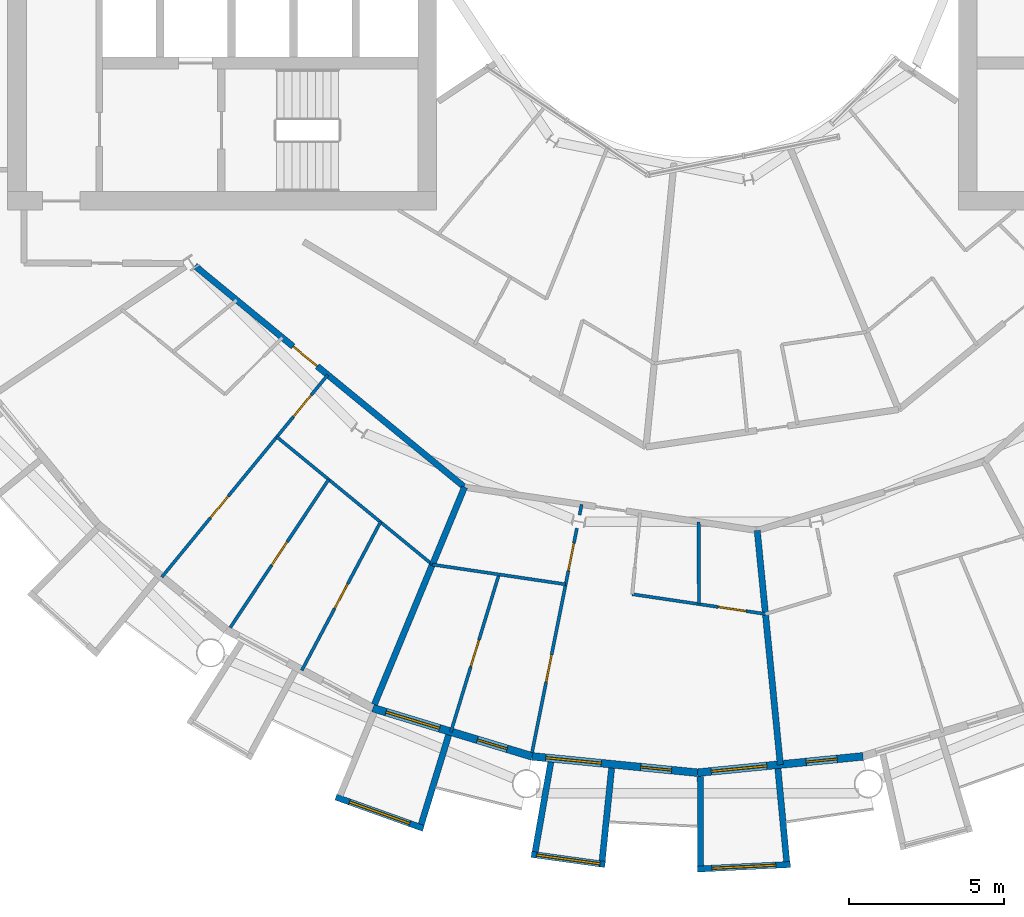
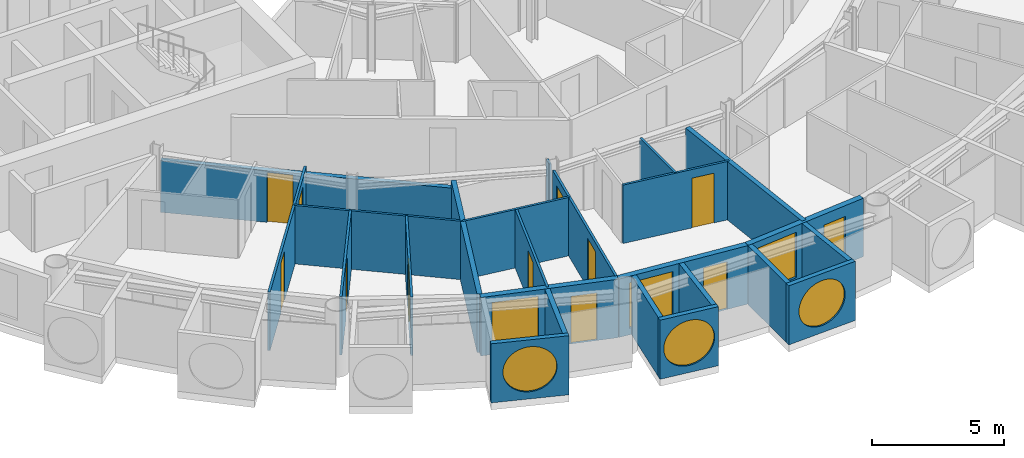
# One storey, part 14 of 28: 25 walls, 12 doors, 6 windows, 18 openings.
"""IFC4 building model written with IfcOpenShell, lengths in metres."""

import ifcopenshell
import ifcopenshell.guid

model = None  # the IFC model being written
_history = None  # IfcOwnerHistory: only IFC2X3 demands one
_inside = {}  # id of a spatial element -> (the spatial element, [elements in it])
_under = {}  # id of a project, library or spatial element -> (it, [spatial elements below it])
_declared = {}  # id of a project -> (the project, [libraries it declares])
_typed = {}  # id of a type object -> (the type object, [elements of that type])
_made_of = {}  # id of a material, layer set ... -> (it, [elements and type objects made of it])


def new_model(schema):
    """Start an empty IFC model of exactly this schema.

    Asked for "IFC4X3", IfcOpenShell would pick the latest addendum, in which some entities
    have other attributes; the version numbers below select the first issue.
    IFC2X3 requires an IfcOwnerHistory on every rooted entity: one is made here for all.
    """
    global model, _history
    if schema == "IFC4X3":
        model = ifcopenshell.file(schema_version=(4, 3, 0, 0))
    else:
        model = ifcopenshell.file(schema=schema)
    _inside.clear()
    _under.clear()
    _declared.clear()
    _typed.clear()
    _made_of.clear()
    _history = None
    if model.schema == "IFC2X3":
        org = make("IfcOrganization", Name="unknown")
        user = make(
            "IfcPersonAndOrganization",
            ThePerson=make("IfcPerson", FamilyName="unknown"),
            TheOrganization=org,
        )
        app = make(
            "IfcApplication",
            ApplicationDeveloper=org,
            Version="unknown",
            ApplicationFullName="unknown",
            ApplicationIdentifier="unknown",
        )
        _history = make(
            "IfcOwnerHistory",
            OwningUser=user,
            OwningApplication=app,
            ChangeAction="ADDED",
            CreationDate=0,
        )
    return model


def make(cls, **values):
    """One entity of the class cls with the attributes given. An attribute that is None is left unset."""
    return model.create_entity(
        cls, **{name: value for name, value in values.items() if value is not None}
    )


def rooted(cls, **values):
    """An entity with a GlobalId (a new one), such as an element, a storey or a relation."""
    return make(cls, GlobalId=ifcopenshell.guid.new(), OwnerHistory=_history, **values)


def si_unit(unit_type, name, prefix=None):
    """IfcSIUnit, for example si_unit("LENGTHUNIT", "METRE", prefix="MILLI")."""
    return make("IfcSIUnit", UnitType=unit_type, Prefix=prefix, Name=name)


def assignment(units):
    """IfcUnitAssignment: the units of a project."""
    return None if units is None else make("IfcUnitAssignment", Units=units)


def point(xyz):
    """IfcCartesianPoint."""
    return None if xyz is None else make("IfcCartesianPoint", Coordinates=xyz)


def direction(xyz):
    """IfcDirection."""
    return None if xyz is None else make("IfcDirection", DirectionRatios=xyz)


def frame(location, z_axis=None, x_axis=None):
    """IfcAxis2Placement3D, a coordinate frame: its origin and axes. An axis left out is left unset."""
    return make(
        "IfcAxis2Placement3D",
        Location=point(location),
        Axis=direction(z_axis),
        RefDirection=direction(x_axis),
    )


def frame_2d(location, x_axis=None):
    """IfcAxis2Placement2D, a coordinate frame in the plane: its origin and x axis."""
    return make(
        "IfcAxis2Placement2D", Location=point(location), RefDirection=direction(x_axis)
    )


def origin():
    """The frame at (0, 0, 0) with its axes left unset."""
    return frame((0.0, 0.0, 0.0))


def place(relative_to, where):
    """IfcLocalPlacement: puts the frame where relative to a parent placement (None: the world)."""
    return make(
        "IfcLocalPlacement", PlacementRelTo=relative_to, RelativePlacement=where
    )


def context(
    kind, dimensions, precision=None, world=None, true_north=None, identifier=None
):
    """IfcGeometricRepresentationContext, for example the 3D "Model" context."""
    return make(
        "IfcGeometricRepresentationContext",
        ContextIdentifier=identifier,
        ContextType=kind,
        CoordinateSpaceDimension=dimensions,
        Precision=precision,
        WorldCoordinateSystem=world,
        TrueNorth=true_north,
    )


def subcontext(parent, identifier, kind, view, scale=None):
    """IfcGeometricRepresentationSubContext, for example "Body" below "Model"."""
    return make(
        "IfcGeometricRepresentationSubContext",
        ContextIdentifier=identifier,
        ContextType=kind,
        ParentContext=parent,
        TargetScale=scale,
        TargetView=view,
    )


def project(units=None, contexts=None):
    """IfcProject with its units and contexts."""
    return rooted(
        "IfcProject",
        Name="project",
        RepresentationContexts=contexts,
        UnitsInContext=assignment(units),
    )


def spatial(cls, under=None, at=None, **own):
    """A site, building, storey or space (cls), placed at a placement, below another one or the project."""
    s = rooted(cls, ObjectPlacement=at, **own)
    if under is not None:
        _under.setdefault(under.id(), (under, []))[1].append(s)
    return s


def profile(cls, at=None, kind="AREA", **sizes):
    """A parametric profile (cls). Its sizes go by their IFC names, for example OverallWidth=200.0."""
    return make(cls, ProfileType=kind, Position=at, **sizes)


def rectangle(**sizes):
    """IfcRectangleProfileDef."""
    return profile("IfcRectangleProfileDef", **sizes)


def circle(**sizes):
    """IfcCircleProfileDef."""
    return profile("IfcCircleProfileDef", **sizes)


def extrude(swept, where, along, depth):
    """IfcExtrudedAreaSolid: the profile swept, set in the frame where, extruded along a direction by depth."""
    return make(
        "IfcExtrudedAreaSolid",
        SweptArea=swept,
        Position=where,
        ExtrudedDirection=direction(along),
        Depth=depth,
    )


def shape(context_of_items, identifier, shape_type, items):
    """IfcShapeRepresentation: the items that make up one representation, for example the "Body"."""
    return make(
        "IfcShapeRepresentation",
        ContextOfItems=context_of_items,
        RepresentationIdentifier=identifier,
        RepresentationType=shape_type,
        Items=items,
    )


def material(Name=None, Category=None):
    """IfcMaterial."""
    return make("IfcMaterial", Name=Name, Category=Category)


def layer(
    of_material, thickness, ventilated=None, Name=None, Category=None, Priority=None
):
    """IfcMaterialLayer: one layer of a wall or slab, of a material (None: an air gap)."""
    return make(
        "IfcMaterialLayer",
        Material=of_material,
        LayerThickness=thickness,
        IsVentilated=ventilated,
        Name=Name,
        Category=Category,
        Priority=Priority,
    )


def layer_set(layers, Name=None):
    """IfcMaterialLayerSet."""
    return make("IfcMaterialLayerSet", MaterialLayers=layers, LayerSetName=Name)


def made_of(thing, what):
    """Note that an element or type object is made of a material, layer set ...; save() writes the relation."""
    if what is not None:
        _made_of.setdefault(what.id(), (what, []))[1].append(thing)
    return thing


def type_object(cls, material=None, **own):
    """A type object (cls), such as IfcWallType, which elements share."""
    return made_of(rooted(cls, **own), material)


def element(
    cls,
    number,
    at=None,
    inside=None,
    cuts=None,
    type_object=None,
    material=None,
    context=None,
    identifier="Body",
    shape_type=None,
    held_by="IfcProductDefinitionShape",
    body=None,
    shapes=None,
    **own,
):
    """One element of the class cls, such as IfcWall. Its Tag is "e" and its number.

    at: its placement. inside: the storey or other place that contains it. cuts: it is an
    opening in that element (IfcRelVoidsElement). A single representation is given by context,
    identifier, shape_type and body (its items); several are given by shapes. held_by: the class
    of the entity that holds the representations. save() writes the other relations.
    """
    e = rooted(cls, Tag="e%d" % number, ObjectPlacement=at, **own)
    if body is not None:
        shapes = [shape(context, identifier, shape_type, body)]
    if shapes is not None:
        e.Representation = make(held_by, Representations=shapes)
    if inside is not None:
        _inside.setdefault(inside.id(), (inside, []))[1].append(e)
    if cuts is not None:
        rooted(
            "IfcRelVoidsElement", RelatingBuildingElement=cuts, RelatedOpeningElement=e
        )
    if type_object is not None:
        _typed.setdefault(type_object.id(), (type_object, []))[1].append(e)
    return made_of(e, material)


def fill(opening, filler):
    """IfcRelFillsElement: the door or window that sits in an opening."""
    return rooted(
        "IfcRelFillsElement",
        RelatingOpeningElement=opening,
        RelatedBuildingElement=filler,
    )


def aggregate(whole, parts):
    """IfcRelAggregates: a whole, such as a stair, and the parts it consists of."""
    return rooted("IfcRelAggregates", RelatingObject=whole, RelatedObjects=parts)


def save(model, path):
    """Write the relations noted so far, then the file.

    IfcRelAggregates (storeys below a building ...), IfcRelContainedInSpatialStructure (elements
    in a storey), IfcRelDefinesByType, IfcRelAssociatesMaterial and IfcRelDeclares: one each for
    every whole, place, type object, material and project.
    """
    for whole, parts in _under.values():
        aggregate(whole, parts)
    for where, things in _inside.values():
        rooted(
            "IfcRelContainedInSpatialStructure",
            RelatedElements=things,
            RelatingStructure=where,
        )
    for kind, things in _typed.values():
        rooted("IfcRelDefinesByType", RelatedObjects=things, RelatingType=kind)
    for what, things in _made_of.values():
        rooted("IfcRelAssociatesMaterial", RelatedObjects=things, RelatingMaterial=what)
    for by, libraries in _declared.values():
        rooted("IfcRelDeclares", RelatingContext=by, RelatedDefinitions=libraries)
    model.write(path)


model = new_model("IFC4")

# Units and contexts
model_context = context("Model", 3, precision=1e-05, world=origin(), true_north=direction((0.0, 1.0)))
body_context = subcontext(model_context, "Body", "Model", "MODEL_VIEW")
ifc_project = project(units=[si_unit("LENGTHUNIT", "METRE"), si_unit("AREAUNIT", "SQUARE_METRE"), si_unit("VOLUMEUNIT", "CUBIC_METRE"), si_unit("PLANEANGLEUNIT", "RADIAN"), si_unit("MASSUNIT", "GRAM", prefix="KILO")], contexts=[model_context])

# Site, building, storey
site_placement = place(None, origin())
site = spatial("IfcSite", under=ifc_project, at=site_placement, CompositionType="ELEMENT")
building_placement = place(site_placement, origin())
building = spatial("IfcBuilding", under=site, at=building_placement, Name="Maasbend Ring Residences", CompositionType="ELEMENT")
storey_placement = place(building_placement, frame((0.0, 0.0, 129.949951171875)))
storey = spatial("IfcBuildingStorey", under=building, at=storey_placement, Name="L37", CompositionType="ELEMENT", Elevation=129.949951171875)

# Wall, opening, door
ifc_material_1 = material(Name="Concrete C30/37", Category="concrete")
ifc_layer_1 = layer(ifc_material_1, 0.199951171875)
ifc_layer_set_1 = layer_set([ifc_layer_1], Name="Concrete C30/37")
wall_type_1 = type_object("IfcWallType", Name="CORRIDOR WALL 200 CONCRETE", PredefinedType="PARTITIONING", material=ifc_layer_set_1)
wall_1_placement = place(storey_placement, frame((-16.173095703125, -10.990966796875, 0.0), z_axis=(0.0, 0.0, 1.0), x_axis=(0.773013989296, -0.634388975591, 0.0)))
wall_1 = element("IfcWall", 1, at=wall_1_placement, inside=storey, type_object=wall_type_1, Name="U-L37-w015", PredefinedType="PARTITIONING", context=body_context, shape_type="SweptSolid", body=[
    extrude(rectangle(XDim=11.218505859375, YDim=0.199951171875, at=frame_2d((5.609375, 0.0))), origin(), (0.0, 0.0, 1.0), 2.39013671875),
])
opening_1_placement = place(wall_1_placement, frame((4.089111328125, 0.0, 0.0)))
opening_1 = element("IfcOpeningElement", 2, at=opening_1_placement, cuts=wall_1, Name="Opening D-3736", PredefinedType="OPENING", context=body_context, shape_type="SweptSolid", body=[
    extrude(rectangle(XDim=1.0, YDim=2.300048828125, at=frame_2d((0.5, 1.14990234375))), frame((0.0, 0.10986328125, 0.0), z_axis=(0.0, -1.0, 0.0), x_axis=(1.0, 0.0, 0.0)), (0.0, 0.0, 1.0), 0.219970703125),
])
ifc_material_2 = material(Name="Timber, fire-rated, painted", Category="wood")
door_type_1 = type_object("IfcDoorType", Name="FLAT ENTRANCE DOOR 1000 X 2300 FIRE-RATED", OperationType="NOTDEFINED", PredefinedType="DOOR", material=ifc_material_2)
door_1_placement = place(opening_1_placement, origin())
door_1 = element("IfcDoor", 3, at=door_1_placement, inside=storey, type_object=door_type_1, Name="D-3736", OperationType="SINGLE_SWING_LEFT", OverallHeight=2.300048828125, OverallWidth=1.0, PredefinedType="DOOR", context=body_context, shape_type="SweptSolid", body=[
    extrude(rectangle(XDim=1.0, YDim=2.300048828125, at=frame_2d((0.5, 1.14990234375))), frame((0.0, 0.02490234375, 0.0), z_axis=(0.0, -1.0, 0.0), x_axis=(1.0, 0.0, 0.0)), (0.0, 0.0, 1.0), 0.050048828125),
])
fill(opening_1, door_1)

# Wall, opening, window
ifc_material_3 = material(Name="Pale anodised aluminium panel", Category="aluminium")
ifc_layer_2 = layer(ifc_material_3, 0.199951171875)
ifc_layer_set_2 = layer_set([ifc_layer_2], Name="EW-BOX")
wall_type_2 = type_object("IfcWallType", Name="EW-BOX", PredefinedType="SOLIDWALL", material=ifc_layer_set_2)
wall_2_placement = place(storey_placement, frame((-11.637939453125, -28.083984375, -0.030029296875), z_axis=(0.0, 0.0, 1.0), x_axis=(0.941461077774, -0.337121697664, 0.0)))
wall_2 = element("IfcWall", 4, at=wall_2_placement, inside=storey, type_object=wall_type_2, Name="Box front S07", PredefinedType="SOLIDWALL", context=body_context, shape_type="SweptSolid", body=[
    extrude(rectangle(XDim=2.9931640625, YDim=0.199951171875, at=frame_2d((1.49658203125, 0.0))), origin(), (0.0, 0.0, 1.0), 2.72998046875),
])
opening_2_placement = place(wall_2_placement, frame((0.45654296875, 0.0, 0.330078125)))
opening_2 = element("IfcOpeningElement", 5, at=opening_2_placement, cuts=wall_2, Name="Opening W-RD", PredefinedType="OPENING", context=body_context, shape_type="SweptSolid", body=[
    extrude(circle(Radius=1.0400390625, at=frame_2d((1.0400390625, 1.0400390625))), frame((0.0, 0.10986328125, 0.0), z_axis=(0.0, -1.0, 0.0), x_axis=(1.0, 0.0, 0.0)), (0.0, 0.0, 1.0), 0.219970703125),
])
ifc_material_4 = material(Name="Aluminium and clear glass", Category="aluminium")
window_type_1 = type_object("IfcWindowType", Name="W-RD", PartitioningType="SINGLE_PANEL", PredefinedType="WINDOW", material=ifc_material_4)
window_1_placement = place(opening_2_placement, origin())
window_1 = element("IfcWindow", 6, at=window_1_placement, inside=storey, type_object=window_type_1, Name="Round window S07", OverallHeight=2.080078125, OverallWidth=2.080078125, PartitioningType="SINGLE_PANEL", PredefinedType="WINDOW", context=body_context, shape_type="SweptSolid", body=[
    extrude(circle(Radius=1.0400390625, at=frame_2d((1.0400390625, 1.0400390625))), frame((0.0, 0.030029296875, 0.0), z_axis=(0.0, -1.0, 0.0), x_axis=(1.0, 0.0, 0.0)), (0.0, 0.0, 1.0), 0.06005859375),
])
fill(opening_2, window_1)

# Wall
wall_3_placement = place(storey_placement, frame((-8.009033203125, -26.092041015625, -0.030029296875), z_axis=(0.0, 0.0, 1.0), x_axis=(-0.293406695073, -0.955987715029, 0.0)))
element("IfcWall", 7, at=wall_3_placement, inside=storey, type_object=wall_type_2, Name="Box side wall S07 right", PredefinedType="SOLIDWALL", context=body_context, shape_type="SweptSolid", body=[
    extrude(rectangle(XDim=3.00634765625, YDim=0.199951171875, at=frame_2d((1.503173828125, 0.0))), origin(), (0.0, 0.0, 1.0), 2.72998046875),
])

# Wall, opening, window
wall_4_placement = place(storey_placement, frame((-5.344970703125, -29.927001953125, -0.030029296875), z_axis=(0.0, 0.0, 1.0), x_axis=(0.99061207328, -0.136703036805, 0.0)))
wall_4 = element("IfcWall", 8, at=wall_4_placement, inside=storey, type_object=wall_type_2, Name="Box front S09", PredefinedType="SOLIDWALL", context=body_context, shape_type="SweptSolid", body=[
    extrude(rectangle(XDim=2.391357421875, YDim=0.199951171875, at=frame_2d((1.19580078125, 0.0))), origin(), (0.0, 0.0, 1.0), 2.72998046875),
])
opening_3_placement = place(wall_4_placement, frame((0.15576171875, 0.0, 0.330078125)))
opening_3 = element("IfcOpeningElement", 9, at=opening_3_placement, cuts=wall_4, Name="Opening W-RD", PredefinedType="OPENING", context=body_context, shape_type="SweptSolid", body=[
    extrude(circle(Radius=1.0400390625, at=frame_2d((1.0400390625, 1.0400390625))), frame((0.0, 0.10986328125, 0.0), z_axis=(0.0, -1.0, 0.0), x_axis=(1.0, 0.0, 0.0)), (0.0, 0.0, 1.0), 0.219970703125),
])
window_2_placement = place(opening_3_placement, origin())
window_2 = element("IfcWindow", 10, at=window_2_placement, inside=storey, type_object=window_type_1, Name="Round window S09", OverallHeight=2.080078125, OverallWidth=2.080078125, PartitioningType="SINGLE_PANEL", PredefinedType="WINDOW", context=body_context, shape_type="SweptSolid", body=[
    extrude(circle(Radius=1.0400390625, at=frame_2d((1.0400390625, 1.0400390625))), frame((0.0, 0.030029296875, 0.0), z_axis=(0.0, -1.0, 0.0), x_axis=(1.0, 0.0, 0.0)), (0.0, 0.0, 1.0), 0.06005859375),
])
fill(opening_3, window_2)

# Walls
wall_5_placement = place(storey_placement, frame((-4.719970703125, -26.9609375, -0.030029296875), z_axis=(0.0, 0.0, 1.0), x_axis=(-0.172463232037, -0.98501595601, 0.0)))
element("IfcWall", 11, at=wall_5_placement, inside=storey, type_object=wall_type_2, Name="Box side wall S09 left", PredefinedType="SOLIDWALL", context=body_context, shape_type="SweptSolid", body=[
    extrude(rectangle(XDim=2.928955078125, YDim=0.199951171875, at=frame_2d((1.46435546875, 0.0))), origin(), (0.0, 0.0, 1.0), 2.72998046875),
])
wall_6_placement = place(storey_placement, frame((-2.763916015625, -27.153076171875, -0.030029296875), z_axis=(0.0, 0.0, 1.0), x_axis=(-0.101505487237, -0.994834979311, 0.0)))
element("IfcWall", 12, at=wall_6_placement, inside=storey, type_object=wall_type_2, Name="Box side wall S09 right", PredefinedType="SOLIDWALL", context=body_context, shape_type="SweptSolid", body=[
    extrude(rectangle(XDim=3.006591796875, YDim=0.199951171875, at=frame_2d((1.50341796875, 0.0))), origin(), (0.0, 0.0, 1.0), 2.72998046875),
])

# Wall, opening, window
wall_7_placement = place(storey_placement, frame((-0.0048828125, -30.39990234375, -0.030029296875), z_axis=(0.0, 0.0, 1.0), x_axis=(0.998794083011, 0.049095618353, 0.0)))
wall_7 = element("IfcWall", 13, at=wall_7_placement, inside=storey, type_object=wall_type_2, Name="Box front S11", PredefinedType="SOLIDWALL", context=body_context, shape_type="SweptSolid", body=[
    extrude(rectangle(XDim=2.99365234375, YDim=0.199951171875, at=frame_2d((1.496826171875, 0.0))), origin(), (0.0, 0.0, 1.0), 2.72998046875),
])
opening_4_placement = place(wall_7_placement, frame((0.45654296875, 0.0, 0.330078125)))
opening_4 = element("IfcOpeningElement", 14, at=opening_4_placement, cuts=wall_7, Name="Opening W-RD", PredefinedType="OPENING", context=body_context, shape_type="SweptSolid", body=[
    extrude(circle(Radius=1.0400390625, at=frame_2d((1.0400390625, 1.0400390625))), frame((0.0, 0.10986328125, 0.0), z_axis=(0.0, -1.0, 0.0), x_axis=(1.0, 0.0, 0.0)), (0.0, 0.0, 1.0), 0.219970703125),
])
window_3_placement = place(opening_4_placement, origin())
window_3 = element("IfcWindow", 15, at=window_3_placement, inside=storey, type_object=window_type_1, Name="Round window S11", OverallHeight=2.080078125, OverallWidth=2.080078125, PartitioningType="SINGLE_PANEL", PredefinedType="WINDOW", context=body_context, shape_type="SweptSolid", body=[
    extrude(circle(Radius=1.0400390625, at=frame_2d((1.0400390625, 1.0400390625))), frame((0.0, 0.030029296875, 0.0), z_axis=(0.0, -1.0, 0.0), x_axis=(1.0, 0.0, 0.0)), (0.0, 0.0, 1.0), 0.06005859375),
])
fill(opening_4, window_3)

# Walls
wall_8_placement = place(storey_placement, frame((0.090087890625, -27.4169921875, -0.030029296875), z_axis=(0.0, 0.0, 1.0), x_axis=(0.00347308367, -0.999993968827, 0.0)))
element("IfcWall", 16, at=wall_8_placement, inside=storey, type_object=wall_type_2, Name="Box side wall S11 left", PredefinedType="SOLIDWALL", context=body_context, shape_type="SweptSolid", body=[
    extrude(rectangle(XDim=2.882080078125, YDim=0.199951171875, at=frame_2d((1.44091796875, 0.0))), origin(), (0.0, 0.0, 1.0), 2.72998046875),
])
wall_9_placement = place(storey_placement, frame((2.5859375, -27.1708984375, -0.030029296875), z_axis=(0.0, 0.0, 1.0), x_axis=(0.094548432284, -0.995520262954, 0.0)))
element("IfcWall", 17, at=wall_9_placement, inside=storey, type_object=wall_type_2, Name="Box side wall S11 right", PredefinedType="SOLIDWALL", context=body_context, shape_type="SweptSolid", body=[
    extrude(rectangle(XDim=3.005615234375, YDim=0.199951171875, at=frame_2d((1.5029296875, 0.0))), origin(), (0.0, 0.0, 1.0), 2.72998046875),
])

# Wall, openings, door, window
ifc_material_5 = material(Name="Aluminium clad insulated panel", Category="aluminium")
ifc_layer_3 = layer(ifc_material_5, 0.25)
ifc_layer_set_3 = layer_set([ifc_layer_3], Name="EW-GL")
wall_type_3 = type_object("IfcWallType", Name="EW-GL", PredefinedType="SOLIDWALL", material=ifc_layer_set_3)
wall_10_placement = place(storey_placement, frame((-10.447021484375, -25.221923828125, 0.0), z_axis=(0.0, 0.0, 1.0), x_axis=(0.956965678721, -0.290201119486, 0.0)))
wall_10 = element("IfcWall", 18, at=wall_10_placement, inside=storey, type_object=wall_type_3, Name="External wall S04", PredefinedType="SOLIDWALL", context=body_context, shape_type="SweptSolid", body=[
    extrude(rectangle(XDim=5.351318359375, YDim=0.25, at=frame_2d((2.67578125, 0.0))), origin(), (0.0, 0.0, 1.0), 2.699951171875),
])
opening_5_placement = place(wall_10_placement, frame((0.441162109375, 0.0, 0.300048828125)))
opening_5 = element("IfcOpeningElement", 19, at=opening_5_placement, cuts=wall_10, Name="Opening W-BX", PredefinedType="OPENING", context=body_context, shape_type="SweptSolid", body=[
    extrude(rectangle(XDim=1.800048828125, YDim=2.10009765625, at=frame_2d((0.89990234375, 1.050048828125))), frame((0.0, 0.135009765625, 0.0), z_axis=(0.0, -1.0, 0.0), x_axis=(1.0, 0.0, 0.0)), (0.0, 0.0, 1.0), 0.27001953125),
])
opening_6_placement = place(wall_10_placement, frame((3.510498046875, 0.0, 0.0)))
opening_6 = element("IfcOpeningElement", 20, at=opening_6_placement, cuts=wall_10, Name="Opening D-LG", PredefinedType="OPENING", context=body_context, shape_type="SweptSolid", body=[
    extrude(rectangle(XDim=1.0, YDim=2.199951171875, at=frame_2d((0.5, 1.10009765625))), frame((0.0, 0.135009765625, 0.0), z_axis=(0.0, -1.0, 0.0), x_axis=(1.0, 0.0, 0.0)), (0.0, 0.0, 1.0), 0.27001953125),
])
ifc_material_6 = material(Name="Aluminium and clear glass", Category="aluminium")
door_type_2 = type_object("IfcDoorType", Name="D-LG", OperationType="SINGLE_SWING_LEFT", PredefinedType="DOOR", material=ifc_material_6)
door_2_placement = place(opening_6_placement, origin())
door_2 = element("IfcDoor", 21, at=door_2_placement, inside=storey, type_object=door_type_2, Name="Loggia door S08", OperationType="SINGLE_SWING_LEFT", OverallHeight=2.199951171875, OverallWidth=1.0, PredefinedType="DOOR", context=body_context, shape_type="SweptSolid", body=[
    extrude(rectangle(XDim=1.0, YDim=2.199951171875, at=frame_2d((0.5, 1.10009765625))), frame((0.0, 0.02490234375, 0.0), z_axis=(0.0, -1.0, 0.0), x_axis=(1.0, 0.0, 0.0)), (0.0, 0.0, 1.0), 0.050048828125),
])
fill(opening_6, door_2)
ifc_material_7 = material(Name="Aluminium and clear glass", Category="aluminium")
window_type_2 = type_object("IfcWindowType", Name="W-BX", PartitioningType="DOUBLE_PANEL_VERTICAL", PredefinedType="WINDOW", material=ifc_material_7)
window_4_placement = place(opening_5_placement, origin())
window_4 = element("IfcWindow", 22, at=window_4_placement, inside=storey, type_object=window_type_2, Name="Window S07 room to box", OverallHeight=2.10009765625, OverallWidth=1.800048828125, PartitioningType="SINGLE_PANEL", PredefinedType="WINDOW", context=body_context, shape_type="SweptSolid", body=[
    extrude(rectangle(XDim=1.800048828125, YDim=2.10009765625, at=frame_2d((0.89990234375, 1.050048828125))), frame((0.0, 0.030029296875, 0.0), z_axis=(0.0, -1.0, 0.0), x_axis=(1.0, 0.0, 0.0)), (0.0, 0.0, 1.0), 0.06005859375),
])
fill(opening_5, window_4)

wall_11_placement = place(storey_placement, frame((-5.325927734375, -26.77490234375, 0.0), z_axis=(0.0, 0.0, 1.0), x_axis=(0.995173996315, -0.098126026407, 0.0)))
wall_11 = element("IfcWall", 23, at=wall_11_placement, inside=storey, type_object=wall_type_3, Name="External wall S05", PredefinedType="SOLIDWALL", context=body_context, shape_type="SweptSolid", body=[
    extrude(rectangle(XDim=5.351806640625, YDim=0.25, at=frame_2d((2.67578125, 0.0))), origin(), (0.0, 0.0, 1.0), 2.699951171875),
])
opening_7_placement = place(wall_11_placement, frame((0.441162109375, 0.0, 0.300048828125)))
opening_7 = element("IfcOpeningElement", 24, at=opening_7_placement, cuts=wall_11, Name="Opening W-BX", PredefinedType="OPENING", context=body_context, shape_type="SweptSolid", body=[
    extrude(rectangle(XDim=1.800048828125, YDim=2.10009765625, at=frame_2d((0.89990234375, 1.050048828125))), frame((0.0, 0.135009765625, 0.0), z_axis=(0.0, -1.0, 0.0), x_axis=(1.0, 0.0, 0.0)), (0.0, 0.0, 1.0), 0.27001953125),
])
opening_8_placement = place(wall_11_placement, frame((3.510498046875, 0.0, 0.0)))
opening_8 = element("IfcOpeningElement", 25, at=opening_8_placement, cuts=wall_11, Name="Opening D-LG", PredefinedType="OPENING", context=body_context, shape_type="SweptSolid", body=[
    extrude(rectangle(XDim=1.0, YDim=2.199951171875, at=frame_2d((0.5, 1.10009765625))), frame((0.0, 0.135009765625, 0.0), z_axis=(0.0, -1.0, 0.0), x_axis=(1.0, 0.0, 0.0)), (0.0, 0.0, 1.0), 0.27001953125),
])
door_3_placement = place(opening_8_placement, origin())
door_3 = element("IfcDoor", 26, at=door_3_placement, inside=storey, type_object=door_type_2, Name="Loggia door S10", OperationType="SINGLE_SWING_LEFT", OverallHeight=2.199951171875, OverallWidth=1.0, PredefinedType="DOOR", context=body_context, shape_type="SweptSolid", body=[
    extrude(rectangle(XDim=1.0, YDim=2.199951171875, at=frame_2d((0.5, 1.10009765625))), frame((0.0, 0.02490234375, 0.0), z_axis=(0.0, -1.0, 0.0), x_axis=(1.0, 0.0, 0.0)), (0.0, 0.0, 1.0), 0.050048828125),
])
fill(opening_8, door_3)
window_5_placement = place(opening_7_placement, origin())
window_5 = element("IfcWindow", 27, at=window_5_placement, inside=storey, type_object=window_type_2, Name="Window S09 room to box", OverallHeight=2.10009765625, OverallWidth=1.800048828125, PartitioningType="SINGLE_PANEL", PredefinedType="WINDOW", context=body_context, shape_type="SweptSolid", body=[
    extrude(rectangle(XDim=1.800048828125, YDim=2.10009765625, at=frame_2d((0.89990234375, 1.050048828125))), frame((0.0, 0.030029296875, 0.0), z_axis=(0.0, -1.0, 0.0), x_axis=(1.0, 0.0, 0.0)), (0.0, 0.0, 1.0), 0.06005859375),
])
fill(opening_7, window_5)

wall_12_placement = place(storey_placement, frame((0.0, -27.300048828125, 0.0), z_axis=(0.0, 0.0, 1.0), x_axis=(0.995173996315, 0.098126026407, 0.0)))
wall_12 = element("IfcWall", 28, at=wall_12_placement, inside=storey, type_object=wall_type_3, Name="External wall S06", PredefinedType="SOLIDWALL", context=body_context, shape_type="SweptSolid", body=[
    extrude(rectangle(XDim=5.351806640625, YDim=0.25, at=frame_2d((2.67578125, 0.0))), origin(), (0.0, 0.0, 1.0), 2.699951171875),
])
opening_9_placement = place(wall_12_placement, frame((0.441162109375, 0.0, 0.300048828125)))
opening_9 = element("IfcOpeningElement", 29, at=opening_9_placement, cuts=wall_12, Name="Opening W-BX", PredefinedType="OPENING", context=body_context, shape_type="SweptSolid", body=[
    extrude(rectangle(XDim=1.800048828125, YDim=2.10009765625, at=frame_2d((0.89990234375, 1.050048828125))), frame((0.0, 0.135009765625, 0.0), z_axis=(0.0, -1.0, 0.0), x_axis=(1.0, 0.0, 0.0)), (0.0, 0.0, 1.0), 0.27001953125),
])
opening_10_placement = place(wall_12_placement, frame((3.510498046875, 0.0, 0.0)))
opening_10 = element("IfcOpeningElement", 30, at=opening_10_placement, cuts=wall_12, Name="Opening D-LG", PredefinedType="OPENING", context=body_context, shape_type="SweptSolid", body=[
    extrude(rectangle(XDim=1.0, YDim=2.199951171875, at=frame_2d((0.5, 1.10009765625))), frame((0.0, 0.135009765625, 0.0), z_axis=(0.0, -1.0, 0.0), x_axis=(1.0, 0.0, 0.0)), (0.0, 0.0, 1.0), 0.27001953125),
])
door_4_placement = place(opening_10_placement, origin())
door_4 = element("IfcDoor", 31, at=door_4_placement, inside=storey, type_object=door_type_2, Name="Loggia door S12", OperationType="SINGLE_SWING_LEFT", OverallHeight=2.199951171875, OverallWidth=1.0, PredefinedType="DOOR", context=body_context, shape_type="SweptSolid", body=[
    extrude(rectangle(XDim=1.0, YDim=2.199951171875, at=frame_2d((0.5, 1.10009765625))), frame((0.0, 0.02490234375, 0.0), z_axis=(0.0, -1.0, 0.0), x_axis=(1.0, 0.0, 0.0)), (0.0, 0.0, 1.0), 0.050048828125),
])
fill(opening_10, door_4)
window_6_placement = place(opening_9_placement, origin())
window_6 = element("IfcWindow", 32, at=window_6_placement, inside=storey, type_object=window_type_2, Name="Window S11 room to box", OverallHeight=2.10009765625, OverallWidth=1.800048828125, PartitioningType="SINGLE_PANEL", PredefinedType="WINDOW", context=body_context, shape_type="SweptSolid", body=[
    extrude(rectangle(XDim=1.800048828125, YDim=2.10009765625, at=frame_2d((0.89990234375, 1.050048828125))), frame((0.0, 0.030029296875, 0.0), z_axis=(0.0, -1.0, 0.0), x_axis=(1.0, 0.0, 0.0)), (0.0, 0.0, 1.0), 0.06005859375),
])
fill(opening_9, window_6)

# Wall
ifc_material_8 = material(Name="Gypsum board on steel studs", Category="steel")
ifc_layer_4 = layer(ifc_material_8, 0.10009765625)
ifc_layer_set_4 = layer_set([ifc_layer_4], Name="PARTITION 100 GYPSUM")
wall_type_4 = type_object("IfcWallType", Name="PARTITION 100 GYPSUM", PredefinedType="PARTITIONING", material=ifc_layer_set_4)
wall_13_placement = place(storey_placement, frame((-8.533935546875, -20.60302734375, 0.0), z_axis=(0.0, 0.0, 1.0), x_axis=(0.989178348771, -0.146718077695, 0.0)))
element("IfcWall", 33, at=wall_13_placement, inside=storey, type_object=wall_type_4, Name="U-L37-w005", PredefinedType="PARTITIONING", context=body_context, shape_type="SweptSolid", body=[
    extrude(rectangle(XDim=4.334716796875, YDim=0.10009765625, at=frame_2d((2.16748046875, 0.0))), origin(), (0.0, 0.0, 1.0), 2.699951171875),
])

# Wall, opening, door
wall_14_placement = place(storey_placement, frame((-2.10205078125, -21.556884765625, 0.0), z_axis=(0.0, 0.0, 1.0), x_axis=(0.989171386505, -0.146765009863, 0.0)))
wall_14 = element("IfcWall", 34, at=wall_14_placement, inside=storey, type_object=wall_type_4, Name="U-L37-w006", PredefinedType="PARTITIONING", context=body_context, shape_type="SweptSolid", body=[
    extrude(rectangle(XDim=4.3349609375, YDim=0.10009765625, at=frame_2d((2.16748046875, 0.0))), origin(), (0.0, 0.0, 1.0), 2.699951171875),
])
opening_11_placement = place(wall_14_placement, frame((2.801025390625, 0.0, 0.0)))
opening_11 = element("IfcOpeningElement", 35, at=opening_11_placement, cuts=wall_14, Name="Opening D-3744", PredefinedType="OPENING", context=body_context, shape_type="SweptSolid", body=[
    extrude(rectangle(XDim=0.89990234375, YDim=2.300048828125, at=frame_2d((0.449951171875, 1.14990234375))), frame((0.0, 0.06005859375, 0.0), z_axis=(0.0, -1.0, 0.0), x_axis=(1.0, 0.0, 0.0)), (0.0, 0.0, 1.0), 0.1201171875),
])
ifc_material_9 = material(Name="Timber, painted", Category="wood")
door_type_3 = type_object("IfcDoorType", Name="INTERNAL DOOR 900 X 2300", OperationType="NOTDEFINED", PredefinedType="DOOR", material=ifc_material_9)
door_5_placement = place(opening_11_placement, origin())
door_5 = element("IfcDoor", 36, at=door_5_placement, inside=storey, type_object=door_type_3, Name="D-3744", OperationType="SINGLE_SWING_RIGHT", OverallHeight=2.300048828125, OverallWidth=0.89990234375, PredefinedType="DOOR", context=body_context, shape_type="SweptSolid", body=[
    extrude(rectangle(XDim=0.89990234375, YDim=2.300048828125, at=frame_2d((0.449951171875, 1.14990234375))), frame((0.0, 0.02490234375, 0.0), z_axis=(0.0, -1.0, 0.0), x_axis=(1.0, 0.0, 0.0)), (0.0, 0.0, 1.0), 0.050048828125),
])
fill(opening_11, door_5)

# Wall
wall_15_placement = place(storey_placement, frame((-13.5380859375, -16.49609375, 0.0), z_axis=(0.0, 0.0, 1.0), x_axis=(0.773000340237, -0.634405606843, 0.0)))
element("IfcWall", 37, at=wall_15_placement, inside=storey, type_object=wall_type_4, Name="U-L37-w010", PredefinedType="PARTITIONING", context=body_context, shape_type="SweptSolid", body=[
    extrude(rectangle(XDim=6.4736328125, YDim=0.10009765625, at=frame_2d((3.23681640625, 0.0))), origin(), (0.0, 0.0, 1.0), 2.699951171875),
])

# Wall, openings, doors
wall_16_placement = place(storey_placement, frame((-17.239990234375, -21.007080078125, 0.0), z_axis=(0.0, 0.0, 1.0), x_axis=(0.634396151441, 0.77300810024, 0.0)))
wall_16 = element("IfcWall", 38, at=wall_16_placement, inside=storey, type_object=wall_type_4, Name="U-L37-w031", PredefinedType="PARTITIONING", context=body_context, shape_type="SweptSolid", body=[
    extrude(rectangle(XDim=8.419189453125, YDim=0.10009765625, at=frame_2d((4.20947265625, 0.0))), origin(), (0.0, 0.0, 1.0), 2.699951171875),
])
opening_12_placement = place(wall_16_placement, frame((6.678955078125, 0.0, 0.0)))
opening_12 = element("IfcOpeningElement", 39, at=opening_12_placement, cuts=wall_16, Name="Opening D-3739", PredefinedType="OPENING", context=body_context, shape_type="SweptSolid", body=[
    extrude(rectangle(XDim=0.89990234375, YDim=2.300048828125, at=frame_2d((0.449951171875, 1.14990234375))), frame((0.0, 0.06005859375, 0.0), z_axis=(0.0, -1.0, 0.0), x_axis=(1.0, 0.0, 0.0)), (0.0, 0.0, 1.0), 0.1201171875),
])
opening_13_placement = place(wall_16_placement, frame((2.468017578125, 0.0, 0.0)))
opening_13 = element("IfcOpeningElement", 40, at=opening_13_placement, cuts=wall_16, Name="Opening D-3740", PredefinedType="OPENING", context=body_context, shape_type="SweptSolid", body=[
    extrude(rectangle(XDim=0.89990234375, YDim=2.300048828125, at=frame_2d((0.449951171875, 1.14990234375))), frame((0.0, 0.06005859375, 0.0), z_axis=(0.0, -1.0, 0.0), x_axis=(1.0, 0.0, 0.0)), (0.0, 0.0, 1.0), 0.1201171875),
])
door_6_placement = place(opening_12_placement, origin())
door_6 = element("IfcDoor", 41, at=door_6_placement, inside=storey, type_object=door_type_3, Name="D-3739", OperationType="SINGLE_SWING_RIGHT", OverallHeight=2.300048828125, OverallWidth=0.89990234375, PredefinedType="DOOR", context=body_context, shape_type="SweptSolid", body=[
    extrude(rectangle(XDim=0.89990234375, YDim=2.300048828125, at=frame_2d((0.449951171875, 1.14990234375))), frame((0.0, 0.02490234375, 0.0), z_axis=(0.0, -1.0, 0.0), x_axis=(1.0, 0.0, 0.0)), (0.0, 0.0, 1.0), 0.050048828125),
])
fill(opening_12, door_6)
door_7_placement = place(opening_13_placement, origin())
door_7 = element("IfcDoor", 42, at=door_7_placement, inside=storey, type_object=door_type_3, Name="D-3740", OperationType="SINGLE_SWING_LEFT", OverallHeight=2.300048828125, OverallWidth=0.89990234375, PredefinedType="DOOR", context=body_context, shape_type="SweptSolid", body=[
    extrude(rectangle(XDim=0.89990234375, YDim=2.300048828125, at=frame_2d((0.449951171875, 1.14990234375))), frame((0.0, 0.02490234375, 0.0), z_axis=(0.0, -1.0, 0.0), x_axis=(1.0, 0.0, 0.0)), (0.0, 0.0, 1.0), 0.050048828125),
])
fill(opening_13, door_7)

# Wall, opening, door
wall_17_placement = place(storey_placement, frame((-15.0390625, -22.634033203125, 0.0), z_axis=(0.0, 0.0, 1.0), x_axis=(0.553440102418, 0.832888980018, 0.0)))
wall_17 = element("IfcWall", 43, at=wall_17_placement, inside=storey, type_object=wall_type_4, Name="U-L37-w038", PredefinedType="PARTITIONING", context=body_context, shape_type="SweptSolid", body=[
    extrude(rectangle(XDim=5.725830078125, YDim=0.10009765625, at=frame_2d((2.86279296875, 0.0))), origin(), (0.0, 0.0, 1.0), 2.699951171875),
])
opening_14_placement = place(wall_17_placement, frame((2.4130859375, 0.0, 0.0)))
opening_14 = element("IfcOpeningElement", 44, at=opening_14_placement, cuts=wall_17, Name="Opening D-3741", PredefinedType="OPENING", context=body_context, shape_type="SweptSolid", body=[
    extrude(rectangle(XDim=0.89990234375, YDim=2.300048828125, at=frame_2d((0.449951171875, 1.14990234375))), frame((0.0, 0.06005859375, 0.0), z_axis=(0.0, -1.0, 0.0), x_axis=(1.0, 0.0, 0.0)), (0.0, 0.0, 1.0), 0.1201171875),
])
door_8_placement = place(opening_14_placement, origin())
door_8 = element("IfcDoor", 45, at=door_8_placement, inside=storey, type_object=door_type_3, Name="D-3741", OperationType="SINGLE_SWING_RIGHT", OverallHeight=2.300048828125, OverallWidth=0.89990234375, PredefinedType="DOOR", context=body_context, shape_type="SweptSolid", body=[
    extrude(rectangle(XDim=0.89990234375, YDim=2.300048828125, at=frame_2d((0.449951171875, 1.14990234375))), frame((0.0, 0.02490234375, 0.0), z_axis=(0.0, -1.0, 0.0), x_axis=(1.0, 0.0, 0.0)), (0.0, 0.0, 1.0), 0.050048828125),
])
fill(opening_14, door_8)

wall_18_placement = place(storey_placement, frame((-12.73388671875, -24.007080078125, 0.0), z_axis=(0.0, 0.0, 1.0), x_axis=(0.468610030042, 0.883405139075, 0.0)))
wall_18 = element("IfcWall", 46, at=wall_18_placement, inside=storey, type_object=wall_type_4, Name="U-L37-w040", PredefinedType="PARTITIONING", context=body_context, shape_type="SweptSolid", body=[
    extrude(rectangle(XDim=5.403076171875, YDim=0.10009765625, at=frame_2d((2.70166015625, 0.0))), origin(), (0.0, 0.0, 1.0), 2.699951171875),
])
opening_15_placement = place(wall_18_placement, frame((2.251953125, 0.0, 0.0)))
opening_15 = element("IfcOpeningElement", 47, at=opening_15_placement, cuts=wall_18, Name="Opening D-3742", PredefinedType="OPENING", context=body_context, shape_type="SweptSolid", body=[
    extrude(rectangle(XDim=0.89990234375, YDim=2.300048828125, at=frame_2d((0.449951171875, 1.14990234375))), frame((0.0, 0.06005859375, 0.0), z_axis=(0.0, -1.0, 0.0), x_axis=(1.0, 0.0, 0.0)), (0.0, 0.0, 1.0), 0.1201171875),
])
door_9_placement = place(opening_15_placement, origin())
door_9 = element("IfcDoor", 48, at=door_9_placement, inside=storey, type_object=door_type_3, Name="D-3742", OperationType="SINGLE_SWING_LEFT", OverallHeight=2.300048828125, OverallWidth=0.89990234375, PredefinedType="DOOR", context=body_context, shape_type="SweptSolid", body=[
    extrude(rectangle(XDim=0.89990234375, YDim=2.300048828125, at=frame_2d((0.449951171875, 1.14990234375))), frame((0.0, 0.02490234375, 0.0), z_axis=(0.0, -1.0, 0.0), x_axis=(1.0, 0.0, 0.0)), (0.0, 0.0, 1.0), 0.050048828125),
])
fill(opening_15, door_9)

wall_19_placement = place(storey_placement, frame((-7.93798828125, -25.989990234375, 0.0), z_axis=(0.0, 0.0, 1.0), x_axis=(0.292081613207, 0.956393397732, 0.0)))
wall_19 = element("IfcWall", 49, at=wall_19_placement, inside=storey, type_object=wall_type_4, Name="U-L37-w047", PredefinedType="PARTITIONING", context=body_context, shape_type="SweptSolid", body=[
    extrude(rectangle(XDim=5.30029296875, YDim=0.10009765625, at=frame_2d((2.650146484375, 0.0))), origin(), (0.0, 0.0, 1.0), 2.699951171875),
])
opening_16_placement = place(wall_19_placement, frame((2.199951171875, 0.0, 0.0)))
opening_16 = element("IfcOpeningElement", 50, at=opening_16_placement, cuts=wall_19, Name="Opening D-3748", PredefinedType="OPENING", context=body_context, shape_type="SweptSolid", body=[
    extrude(rectangle(XDim=0.89990234375, YDim=2.300048828125, at=frame_2d((0.449951171875, 1.14990234375))), frame((0.0, 0.06005859375, 0.0), z_axis=(0.0, -1.0, 0.0), x_axis=(1.0, 0.0, 0.0)), (0.0, 0.0, 1.0), 0.1201171875),
])
door_10_placement = place(opening_16_placement, origin())
door_10 = element("IfcDoor", 51, at=door_10_placement, inside=storey, type_object=door_type_3, Name="D-3748", OperationType="SINGLE_SWING_RIGHT", OverallHeight=2.300048828125, OverallWidth=0.89990234375, PredefinedType="DOOR", context=body_context, shape_type="SweptSolid", body=[
    extrude(rectangle(XDim=0.89990234375, YDim=2.300048828125, at=frame_2d((0.449951171875, 1.14990234375))), frame((0.0, 0.02490234375, 0.0), z_axis=(0.0, -1.0, 0.0), x_axis=(1.0, 0.0, 0.0)), (0.0, 0.0, 1.0), 0.050048828125),
])
fill(opening_16, door_10)

# Wall, openings, doors
wall_20_placement = place(storey_placement, frame((-5.323974609375, -26.64892578125, 0.0), z_axis=(0.0, 0.0, 1.0), x_axis=(0.195918370415, 0.980620207896, 0.0)))
wall_20 = element("IfcWall", 52, at=wall_20_placement, inside=storey, type_object=wall_type_4, Name="U-L37-w050", PredefinedType="PARTITIONING", context=body_context, shape_type="SweptSolid", body=[
    extrude(rectangle(XDim=7.359619140625, YDim=0.10009765625, at=frame_2d((3.6796875, 0.0))), origin(), (0.0, 0.0, 1.0), 2.699951171875),
])
opening_17_placement = place(wall_20_placement, frame((5.966064453125, 0.0, 0.0)))
opening_17 = element("IfcOpeningElement", 53, at=opening_17_placement, cuts=wall_20, Name="Opening D-3746", PredefinedType="OPENING", context=body_context, shape_type="SweptSolid", body=[
    extrude(rectangle(XDim=0.89990234375, YDim=2.300048828125, at=frame_2d((0.449951171875, 1.14990234375))), frame((0.0, 0.06005859375, 0.0), z_axis=(0.0, -1.0, 0.0), x_axis=(1.0, 0.0, 0.0)), (0.0, 0.0, 1.0), 0.1201171875),
])
opening_18_placement = place(wall_20_placement, frame((2.30810546875, 0.0, 0.0)))
opening_18 = element("IfcOpeningElement", 54, at=opening_18_placement, cuts=wall_20, Name="Opening D-3747", PredefinedType="OPENING", context=body_context, shape_type="SweptSolid", body=[
    extrude(rectangle(XDim=0.89990234375, YDim=2.300048828125, at=frame_2d((0.449951171875, 1.14990234375))), frame((0.0, 0.06005859375, 0.0), z_axis=(0.0, -1.0, 0.0), x_axis=(1.0, 0.0, 0.0)), (0.0, 0.0, 1.0), 0.1201171875),
])
door_11_placement = place(opening_17_placement, origin())
door_11 = element("IfcDoor", 55, at=door_11_placement, inside=storey, type_object=door_type_3, Name="D-3746", OperationType="SINGLE_SWING_RIGHT", OverallHeight=2.300048828125, OverallWidth=0.89990234375, PredefinedType="DOOR", context=body_context, shape_type="SweptSolid", body=[
    extrude(rectangle(XDim=0.89990234375, YDim=2.300048828125, at=frame_2d((0.449951171875, 1.14990234375))), frame((0.0, 0.02490234375, 0.0), z_axis=(0.0, -1.0, 0.0), x_axis=(1.0, 0.0, 0.0)), (0.0, 0.0, 1.0), 0.050048828125),
])
fill(opening_17, door_11)
door_12_placement = place(opening_18_placement, origin())
door_12 = element("IfcDoor", 56, at=door_12_placement, inside=storey, type_object=door_type_3, Name="D-3747", OperationType="SINGLE_SWING_LEFT", OverallHeight=2.300048828125, OverallWidth=0.89990234375, PredefinedType="DOOR", context=body_context, shape_type="SweptSolid", body=[
    extrude(rectangle(XDim=0.89990234375, YDim=2.300048828125, at=frame_2d((0.449951171875, 1.14990234375))), frame((0.0, 0.02490234375, 0.0), z_axis=(0.0, -1.0, 0.0), x_axis=(1.0, 0.0, 0.0)), (0.0, 0.0, 1.0), 0.050048828125),
])
fill(opening_18, door_12)

# Walls
wall_21_placement = place(storey_placement, frame((-3.797119140625, -19.008056640625, 0.0), z_axis=(0.0, 0.0, 1.0), x_axis=(0.196386856719, 0.980526492507, 0.0)))
element("IfcWall", 57, at=wall_21_placement, inside=storey, type_object=wall_type_4, Name="U-L37-w056", PredefinedType="PARTITIONING", context=body_context, shape_type="SweptSolid", body=[
    extrude(rectangle(XDim=0.346923828125, YDim=0.10009765625, at=frame_2d((0.17333984375, 0.0))), origin(), (0.0, 0.0, 1.0), 2.699951171875),
])
wall_22_placement = place(storey_placement, frame((0.0419921875, -21.875, 0.0), z_axis=(0.0, 0.0, 1.0), x_axis=(-0.001843314841, 0.999998301094, 0.0)))
element("IfcWall", 58, at=wall_22_placement, inside=storey, type_object=wall_type_4, Name="U-L37-w062", PredefinedType="PARTITIONING", context=body_context, shape_type="SweptSolid", body=[
    extrude(rectangle(XDim=2.64892578125, YDim=0.10009765625, at=frame_2d((1.324462890625, 0.0))), origin(), (0.0, 0.0, 1.0), 2.699951171875),
])
ifc_material_10 = material(Name="Concrete C30/37", Category="concrete")
ifc_layer_5 = layer(ifc_material_10, 0.199951171875)
ifc_layer_set_5 = layer_set([ifc_layer_5], Name="Concrete C30/37")
wall_type_5 = type_object("IfcWallType", Name="PARTY WALL 200 CONCRETE", PredefinedType="PARTITIONING", material=ifc_layer_set_5)
wall_23_placement = place(storey_placement, frame((-10.39892578125, -25.10595703125, 0.0), z_axis=(0.0, 0.0, 1.0), x_axis=(0.382651153718, 0.923892902104, 0.0)))
element("IfcWall", 59, at=wall_23_placement, inside=storey, type_object=wall_type_5, Name="U-L37-w042", PredefinedType="PARTITIONING", context=body_context, shape_type="SweptSolid", body=[
    extrude(rectangle(XDim=4.873779296875, YDim=0.199951171875, at=frame_2d((2.43701171875, 0.0))), origin(), (0.0, 0.0, 1.0), 2.699951171875),
])
wall_24_placement = place(storey_placement, frame((-8.529052734375, -20.60498046875, 0.0), z_axis=(0.0, 0.0, 1.0), x_axis=(0.382540781694, 0.923938607452, 0.0)))
element("IfcWall", 60, at=wall_24_placement, inside=storey, type_object=wall_type_5, Name="U-L37-w043", PredefinedType="PARTITIONING", context=body_context, shape_type="SweptSolid", body=[
    extrude(rectangle(XDim=2.7001953125, YDim=0.199951171875, at=frame_2d((1.35009765625, 0.0))), origin(), (0.0, 0.0, 1.0), 2.699951171875),
])
wall_25_placement = place(storey_placement, frame((1.9208984375, -19.506103515625, 0.0), z_axis=(0.0, 0.0, 1.0), x_axis=(0.098115395479, -0.995175044487, 0.0)))
element("IfcWall", 61, at=wall_25_placement, inside=storey, type_object=wall_type_5, Name="U-L37-w067", PredefinedType="PARTITIONING", context=body_context, shape_type="SweptSolid", body=[
    extrude(rectangle(XDim=7.574462890625, YDim=0.199951171875, at=frame_2d((3.787109375, 0.0))), origin(), (0.0, 0.0, 1.0), 2.699951171875),
])

save(model, "model.ifc")
